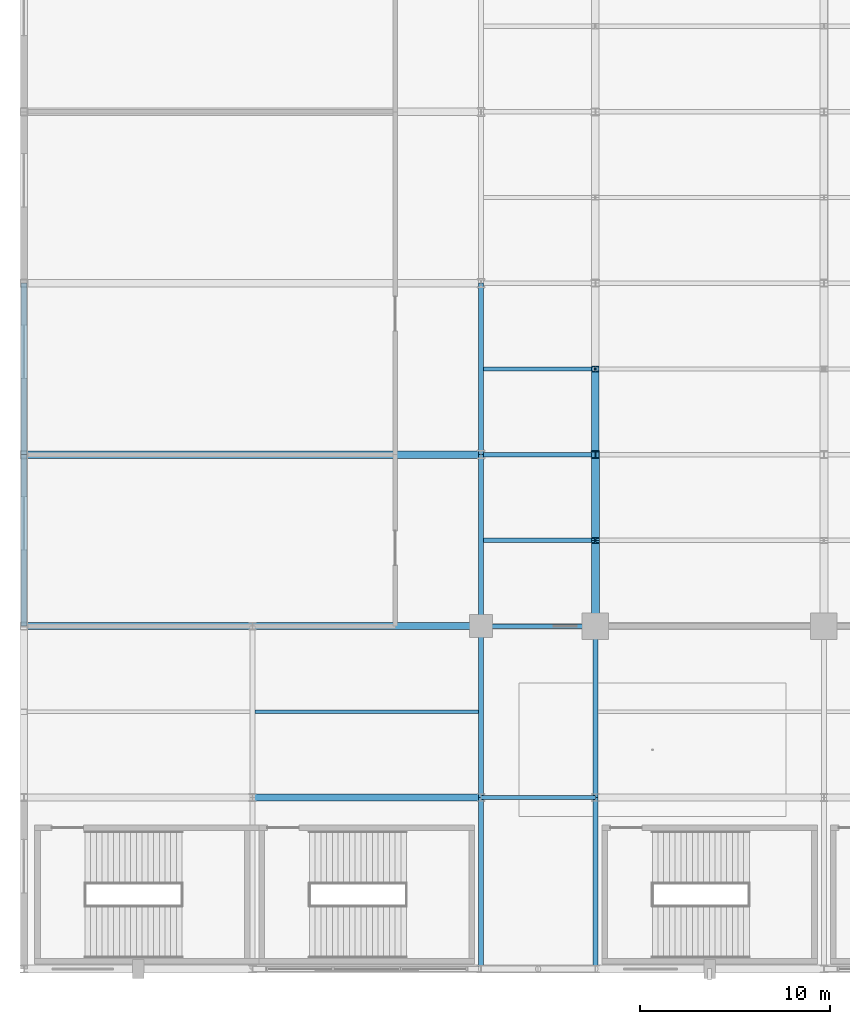
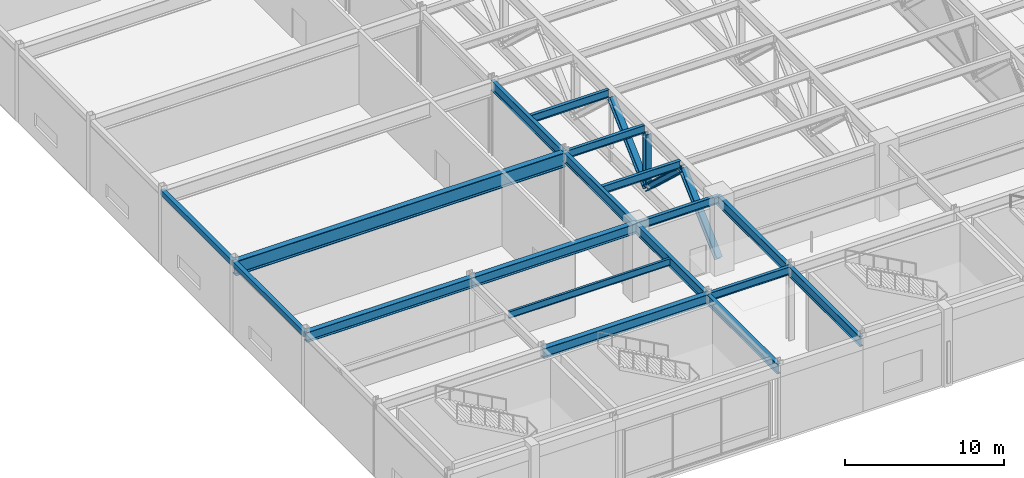
# One storey, part 20 of 108: 18 beams, 4 members.
"""IFC4 building model written with IfcOpenShell, lengths in metres."""

from ifc_helpers import new_model, si_unit, direction, frame, origin, origin_2d, place, context, subcontext, project, spatial, hollow_rectangle, i_section, extrude, material, material_profile, profile_set, type_object, element, save


model = new_model("IFC4")

# Units and contexts
model_context = context("Model", 3, precision=1e-05, world=origin(), true_north=direction((0.0, 1.0)))
body_context = subcontext(model_context, "Body", "Model", "MODEL_VIEW")
ifc_project = project(units=[si_unit("LENGTHUNIT", "METRE"), si_unit("AREAUNIT", "SQUARE_METRE"), si_unit("VOLUMEUNIT", "CUBIC_METRE"), si_unit("PLANEANGLEUNIT", "RADIAN"), si_unit("MASSUNIT", "GRAM", prefix="KILO")], contexts=[model_context])

# Site, building, storey
site_placement = place(None, origin())
site = spatial("IfcSite", under=ifc_project, at=site_placement, CompositionType="ELEMENT")
building_placement = place(site_placement, origin())
building = spatial("IfcBuilding", under=site, at=building_placement, Name="Kaldorvane Square Convention Centre", CompositionType="ELEMENT")
storey_placement = place(building_placement, frame((0.0, 0.0, 12.0)))
storey = spatial("IfcBuildingStorey", under=building, at=storey_placement, Name="L02", CompositionType="ELEMENT", Elevation=12.0)

# Beams
ifc_material_1 = material(Name="Steel ASTM A992 Gr. 50", Category="steel")
ifc_material_profile_1 = material_profile(ifc_material_1, i_section(OverallWidth=0.2303009033203125, OverallDepth=0.61749267578125, WebThickness=0.0131072998046875, FlangeThickness=0.0222015380859375, FilletRadius=0.0126953125, at=origin_2d()), Name="W24X94")
ifc_profile_set_1 = profile_set([ifc_material_profile_1], Name="Steel ASTM A992 Gr. 50")
beam_type_1 = type_object("IfcBeamType", Name="BM-GR-W24X94", PredefinedType="BEAM", material=ifc_profile_set_1)
for number, where, z_axis, x_axis, name in (
    (1, (24.0, 9.0, 5.3372039794921875), (1.0, 0.0, 0.0), (0.0, 1.0, 0.0), "Primary Girder (L02)"),
    (2, (24.0, 18.0, 5.3372039794921875), (1.0, 0.0, 0.0), (0.0, 1.0, 0.0), "Primary Girder (L02)"),
):
    element("IfcBeam", number, at=place(storey_placement, frame(where, z_axis=z_axis, x_axis=x_axis)), inside=storey, type_object=beam_type_1, Name=name, PredefinedType="BEAM", context=body_context, shape_type="SweptSolid", body=[
        extrude(i_section(OverallWidth=0.2303009033203125, OverallDepth=0.61749267578125, WebThickness=0.0131072998046875, FlangeThickness=0.0222015380859375, FilletRadius=0.0126953125, at=origin_2d()), origin(), (0.0, 0.0, 1.0), 6.0),
    ])
ifc_material_profile_2 = material_profile(ifc_material_1, i_section(OverallWidth=0.2666015625, OverallDepth=0.762298583984375, WebThickness=0.014404296875, FlangeThickness=0.0216064453125, FilletRadius=0.0164947509765625, at=origin_2d()), Name="W30X116")
ifc_profile_set_2 = profile_set([ifc_material_profile_2], Name="Steel ASTM A992 Gr. 50")
beam_type_2 = type_object("IfcBeamType", Name="BM-GR-W30X116", PredefinedType="BEAM", material=ifc_profile_set_2)
for number, where, z_axis, x_axis, name in (
    (3, (24.0, 0.0, 5.264801025390625), (0.0, 1.0, 0.0), (-1.0, 0.0, 0.0), "Transverse Girder (L02)"),
    (4, (24.0, 9.0, 5.264801025390625), (0.0, 1.0, 0.0), (-1.0, 0.0, 0.0), "Transverse Girder (L02)"),
    (5, (24.0, 18.0, 5.264801025390625), (0.0, 1.0, 0.0), (-1.0, 0.0, 0.0), "Transverse Girder (L02)"),
    (6, (24.0, 27.0, 5.264801025390625), (0.0, 1.0, 0.0), (-1.0, 0.0, 0.0), "Transverse Girder (L02)"),
    (7, (30.0, 0.0, 5.264801025390625), (0.0, 1.0, 0.0), (-1.0, 0.0, 0.0), "Transverse Girder (L02)"),
    (8, (30.0, 9.0, 5.264801025390625), (0.0, 1.0, 0.0), (-1.0, 0.0, 0.0), "Transverse Girder (L02)"),
):
    element("IfcBeam", number, at=place(storey_placement, frame(where, z_axis=z_axis, x_axis=x_axis)), inside=storey, type_object=beam_type_2, Name=name, PredefinedType="BEAM", context=body_context, shape_type="SweptSolid", body=[
        extrude(i_section(OverallWidth=0.2666015625, OverallDepth=0.762298583984375, WebThickness=0.014404296875, FlangeThickness=0.0216064453125, FilletRadius=0.0164947509765625, at=origin_2d()), origin(), (0.0, 0.0, 1.0), 9.0),
    ])
ifc_material_profile_3 = material_profile(ifc_material_1, i_section(OverallWidth=0.380706787109375, OverallDepth=0.773193359375, WebThickness=0.0166015625, FlangeThickness=0.027099609375, FilletRadius=0.0164947509765625, at=origin_2d()), Name="W30X173")
ifc_profile_set_3 = profile_set([ifc_material_profile_3], Name="Steel ASTM A992 Gr. 50")
beam_type_3 = type_object("IfcBeamType", Name="BM-GR-W30X173", PredefinedType="BEAM", material=ifc_profile_set_3)
for number, where, z_axis, x_axis, name in (
    (9, (12.0, 9.0, 5.2593994140625), (1.0, 0.0, 0.0), (0.0, 1.0, 0.0), "Primary Girder (L02)"),
    (10, (0.0, 18.0, 5.2593994140625), (1.0, 0.0, 0.0), (0.0, 1.0, 0.0), "Primary Girder (L02)"),
    (11, (12.0, 18.0, 5.2593994140625), (1.0, 0.0, 0.0), (0.0, 1.0, 0.0), "Primary Girder (L02)"),
):
    element("IfcBeam", number, at=place(storey_placement, frame(where, z_axis=z_axis, x_axis=x_axis)), inside=storey, type_object=beam_type_3, Name=name, PredefinedType="BEAM", context=body_context, shape_type="SweptSolid", body=[
        extrude(i_section(OverallWidth=0.380706787109375, OverallDepth=0.773193359375, WebThickness=0.0166015625, FlangeThickness=0.027099609375, FilletRadius=0.0164947509765625, at=origin_2d()), origin(), (0.0, 0.0, 1.0), 12.0),
    ])
ifc_material_profile_4 = material_profile(ifc_material_1, i_section(OverallWidth=0.404998779296875, OverallDepth=1.1179962158203125, WebThickness=0.0261993408203125, FlangeThickness=0.0449981689453125, FilletRadius=0.0254058837890625, at=origin_2d()), Name="W44X335")
ifc_profile_set_4 = profile_set([ifc_material_profile_4], Name="Steel ASTM A992 Gr. 50")
beam_type_4 = type_object("IfcBeamType", Name="BM-GR-W44X335", PredefinedType="BEAM", material=ifc_profile_set_4)
beam_1_placement = place(storey_placement, frame((0.0, 27.0, 5.087005615234375), z_axis=(1.0, 0.0, 0.0), x_axis=(0.0, 1.0, 0.0)))
element("IfcBeam", 12, at=beam_1_placement, inside=storey, type_object=beam_type_4, Name="Service Yard Long-Span Girder (L02)", PredefinedType="BEAM", context=body_context, shape_type="SweptSolid", body=[
    extrude(i_section(OverallWidth=0.404998779296875, OverallDepth=1.1179962158203125, WebThickness=0.0261993408203125, FlangeThickness=0.0449981689453125, FilletRadius=0.0254058837890625, at=origin_2d()), origin(), (0.0, 0.0, 1.0), 24.0),
])
ifc_material_profile_5 = material_profile(ifc_material_1, i_section(OverallWidth=0.1658935546875, OverallDepth=0.5290985107421875, WebThickness=0.00970458984375, FlangeThickness=0.0135955810546875, FilletRadius=0.0126953125, at=origin_2d()), Name="W21X50")
ifc_profile_set_5 = profile_set([ifc_material_profile_5], Name="Steel ASTM A992 Gr. 50")
beam_type_5 = type_object("IfcBeamType", Name="BM-JS-W21X50", PredefinedType="JOIST", material=ifc_profile_set_5)
beam_2_placement = place(storey_placement, frame((12.13330078125, 13.5, 5.3813934326171875), z_axis=(1.0, 0.0, 0.0), x_axis=(0.0, 1.0, 0.0)))
element("IfcBeam", 13, at=beam_2_placement, inside=storey, type_object=beam_type_5, Name="Secondary Floor Joist (L02)", PredefinedType="JOIST", context=body_context, shape_type="SweptSolid", body=[
    extrude(i_section(OverallWidth=0.1658935546875, OverallDepth=0.5290985107421875, WebThickness=0.00970458984375, FlangeThickness=0.0135955810546875, FilletRadius=0.0126953125, at=origin_2d()), origin(), (0.0, 0.0, 1.0), 11.7333984375),
])
ifc_material_profile_6 = material_profile(ifc_material_1, i_section(OverallWidth=0.2277069091796875, OverallDepth=0.6027069091796875, WebThickness=0.010498046875, FlangeThickness=0.014892578125, FilletRadius=0.0126953125, at=origin_2d()), Name="W24X68")
ifc_profile_set_6 = profile_set([ifc_material_profile_6], Name="Steel ASTM A992 Gr. 50")
beam_type_6 = type_object("IfcBeamType", Name="BM-JS-W24X68", PredefinedType="JOIST", material=ifc_profile_set_6)
for number, where, z_axis, x_axis, name in (
    (14, (24.13330078125, 22.5, 5.3446044921875), (1.0, 0.0, 0.0), (0.0, 1.0, 0.0), "Hall Composite Floor Joist (L02)"),
    (15, (24.13330078125, 27.0, 5.3446044921875), (1.0, 0.0, 0.0), (0.0, 1.0, 0.0), "Hall Composite Floor Joist (L02)"),
    (16, (24.13330078125, 31.5, 5.3446044921875), (1.0, 0.0, 0.0), (0.0, 1.0, 0.0), "Hall Composite Floor Joist (L02)"),
):
    element("IfcBeam", number, at=place(storey_placement, frame(where, z_axis=z_axis, x_axis=x_axis)), inside=storey, type_object=beam_type_6, Name=name, PredefinedType="JOIST", context=body_context, shape_type="SweptSolid", body=[
        extrude(i_section(OverallWidth=0.2277069091796875, OverallDepth=0.6027069091796875, WebThickness=0.010498046875, FlangeThickness=0.014892578125, FilletRadius=0.0126953125, at=origin_2d()), origin(), (0.0, 0.0, 1.0), 5.661895751953125),
    ])
ifc_material_2 = material(Name="Steel ASTM A500 Gr. C", Category="steel")
ifc_material_profile_7 = material_profile(ifc_material_2, hollow_rectangle(XDim=0.3047943115234375, YDim=0.406402587890625, WallThickness=0.0117950439453125, at=origin_2d()), Name="HSS16X12X1/2")
ifc_profile_set_7 = profile_set([ifc_material_profile_7], Name="Steel ASTM A500 Gr. C")
beam_type_7 = type_object("IfcBeamType", Name="BM-SP-HSS16", PredefinedType="SPANDREL", material=ifc_profile_set_7)
for number, where, z_axis, x_axis, name in (
    (17, (0.0, 18.0, 5.4427947998046875), (0.0, 1.0, 0.0), (-1.0, 0.0, 0.0), "End Spandrel (L02)"),
    (18, (0.0, 27.0, 5.4427947998046875), (0.0, 1.0, 0.0), (-1.0, 0.0, 0.0), "End Spandrel (L02)"),
):
    element("IfcBeam", number, at=place(storey_placement, frame(where, z_axis=z_axis, x_axis=x_axis)), inside=storey, type_object=beam_type_7, Name=name, PredefinedType="SPANDREL", context=body_context, shape_type="SweptSolid", body=[
        extrude(hollow_rectangle(XDim=0.3047943115234375, YDim=0.406402587890625, WallThickness=0.0117950439453125, at=origin_2d()), origin(), (0.0, 0.0, 1.0), 9.0),
    ])

# Members
ifc_material_profile_8 = material_profile(ifc_material_1, i_section(OverallWidth=0.412200927734375, OverallDepth=0.4347991943359375, WebThickness=0.035797119140625, FlangeThickness=0.057403564453125, FilletRadius=0.0305023193359375, at=origin_2d()), Name="W14X311")
ifc_profile_set_8 = profile_set([ifc_material_profile_8], Name="Steel ASTM A992 Gr. 50")
member_type_1 = type_object("IfcMemberType", Name="MB-BR-W14X311", PredefinedType="BRACE", material=ifc_profile_set_8)
member_1_placement = place(storey_placement, frame((30.0, 27.0, 0.7299957275390625), z_axis=(0.0, 0.731436442842, 0.681909620172), x_axis=(-1.0, 0.0, 0.0)))
element("IfcMember", 19, at=member_1_placement, inside=storey, type_object=member_type_1, Name="Transfer Truss TT-01 Web Diagonal 2A", PredefinedType="BRACE", context=body_context, shape_type="SweptSolid", body=[
    extrude(i_section(OverallWidth=0.412200927734375, OverallDepth=0.4347991943359375, WebThickness=0.035797119140625, FlangeThickness=0.057403564453125, FilletRadius=0.0305023193359375, at=origin_2d()), origin(), (0.0, 0.0, 1.0), 6.15228271484375),
])
ifc_material_profile_9 = material_profile(ifc_material_1, i_section(OverallWidth=0.4214019775390625, OverallDepth=0.4647979736328125, WebThickness=0.0449981689453125, FlangeThickness=0.072296142578125, FilletRadius=0.0305023193359375, at=origin_2d()), Name="W14X398")
ifc_profile_set_9 = profile_set([ifc_material_profile_9], Name="Steel ASTM A992 Gr. 50")
member_type_2 = type_object("IfcMemberType", Name="MB-BR-W14X398", PredefinedType="BRACE", material=ifc_profile_set_9)
for number, where, z_axis, x_axis, name in (
    (20, (30.0, 18.0, 0.7299957275390625), (0.0, 0.731436442842, 0.681909620172), (-1.0, 0.0, 0.0), "Transfer Truss TT-01 Web Diagonal 1A"),
    (21, (30.0, 22.5, 4.92529296875), (0.0, 0.731436442842, -0.681909620172), (-1.0, 0.0, 0.0), "Transfer Truss TT-01 Web Diagonal 1B"),
):
    element("IfcMember", number, at=place(storey_placement, frame(where, z_axis=z_axis, x_axis=x_axis)), inside=storey, type_object=member_type_2, Name=name, PredefinedType="BRACE", context=body_context, shape_type="SweptSolid", body=[
        extrude(i_section(OverallWidth=0.4214019775390625, OverallDepth=0.4647979736328125, WebThickness=0.0449981689453125, FlangeThickness=0.072296142578125, FilletRadius=0.0305023193359375, at=origin_2d()), origin(), (0.0, 0.0, 1.0), 6.15228271484375),
    ])
ifc_material_profile_10 = material_profile(ifc_material_1, i_section(OverallWidth=0.3990020751953125, OverallDepth=0.3932037353515625, WebThickness=0.0225982666015625, FlangeThickness=0.0366058349609375, FilletRadius=0.0305023193359375, at=origin_2d()), Name="W14X193")
ifc_profile_set_10 = profile_set([ifc_material_profile_10], Name="Steel ASTM A992 Gr. 50")
member_type_3 = type_object("IfcMemberType", Name="MB-PS-W14X193", PredefinedType="POST", material=ifc_profile_set_10)
member_2_placement = place(storey_placement, frame((30.0, 27.0, 1.0099945068359375), z_axis=(0.0, 0.0, 1.0), x_axis=(1.0, 0.0, 0.0)))
element("IfcMember", 22, at=member_2_placement, inside=storey, type_object=member_type_3, Name="Transfer Truss TT-01 Vertical Post 1", PredefinedType="POST", context=body_context, shape_type="SweptSolid", body=[
    extrude(i_section(OverallWidth=0.3990020751953125, OverallDepth=0.3932037353515625, WebThickness=0.0225982666015625, FlangeThickness=0.0366058349609375, FilletRadius=0.0305023193359375, at=origin_2d()), origin(), (0.0, 0.0, 1.0), 3.9152984619140625),
])

save(model, "model.ifc")
